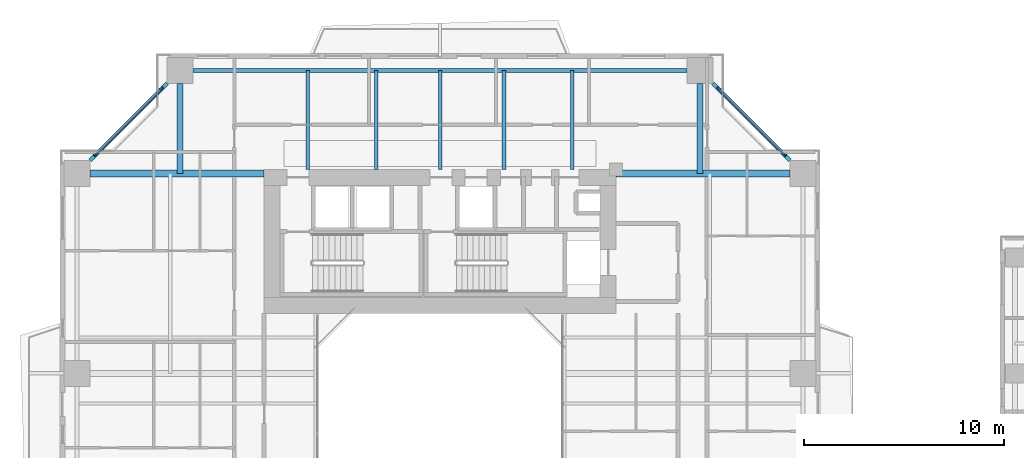
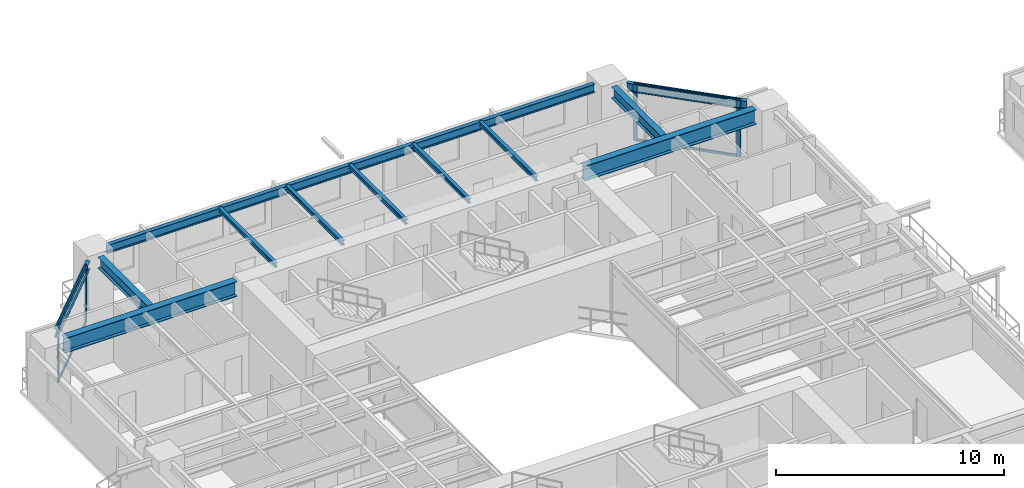
# One storey, part 9 of 23: 12 beams, 8 members, 2 elements without a shape of their own.
"""IFC4 building model written with IfcOpenShell, lengths in metres."""

from ifc_helpers import new_model, si_unit, direction, frame, origin, origin_2d, place, context, subcontext, project, spatial, rectangle, i_section, extrude, source, transform, mapped, material, layer, layer_set, material_profile, profile_set, type_object, element, aggregate, save


model = new_model("IFC4")

# Units and contexts
model_context = context("Model", 3, precision=1e-05, world=origin(), true_north=direction((0.0, 1.0)))
body_context = subcontext(model_context, "Body", "Model", "MODEL_VIEW")
ifc_project = project(units=[si_unit("LENGTHUNIT", "METRE"), si_unit("AREAUNIT", "SQUARE_METRE"), si_unit("VOLUMEUNIT", "CUBIC_METRE"), si_unit("PLANEANGLEUNIT", "RADIAN"), si_unit("MASSUNIT", "GRAM", prefix="KILO"), si_unit("THERMODYNAMICTEMPERATUREUNIT", "KELVIN"), si_unit("POWERUNIT", "WATT")], contexts=[model_context])

# Site, building, storey
site_placement = place(None, origin())
site = spatial("IfcSite", under=ifc_project, at=site_placement, CompositionType="ELEMENT")
building_placement = place(site_placement, origin())
building = spatial("IfcBuilding", under=site, at=building_placement, Name="Qiaomeng Ring Towers", CompositionType="ELEMENT")
storey_placement = place(building_placement, frame((0.0, 0.0, 39.25)))
storey = spatial("IfcBuildingStorey", under=building, at=storey_placement, Name="L10", CompositionType="ELEMENT", Elevation=39.25)

# Beams
ifc_material_1 = material(Name="Steel Q355B", Category="steel")
ifc_material_profile_1 = material_profile(ifc_material_1, i_section(OverallWidth=0.199951171875, OverallDepth=0.449951171875, WebThickness=0.009033203125, FlangeThickness=0.013916015625, FilletRadius=0.01806640625, at=origin_2d()), Name="HN 450x200x9x14")
ifc_profile_set_1 = profile_set([ifc_material_profile_1], Name="Steel Q355B")
beam_type_1 = type_object("IfcBeamType", Name="STR-BM-HN450", PredefinedType="SPANDREL", material=ifc_profile_set_1)
shared_shape_1 = source(origin(), body_context, "Body", "SweptSolid", [
    extrude(i_section(OverallWidth=0.199951171875, OverallDepth=0.449951171875, WebThickness=0.009033203125, FlangeThickness=0.013916015625, FilletRadius=0.01806640625, at=origin_2d()), origin(), (0.0, 0.0, 1.0), 24.7021484375),
])
beam_placement = place(storey_placement, frame((31.35107421875, 41.14990234375, 2.844970703125), z_axis=(-1.0, 0.0, 0.0), x_axis=(0.0, -1.0, 0.0)))
element("IfcBeam", 1, at=beam_placement, inside=storey, type_object=beam_type_1, Name="L10 beam STR-SP-L10-T1-N2-N1", PredefinedType="SPANDREL", context=body_context, shape_type="MappedRepresentation", body=[
    mapped(shared_shape_1, transform((0.0, 0.0, 0.0), x_axis=(1.0, 0.0, 0.0), y_axis=(0.0, 1.0, 0.0), z_axis=(0.0, 0.0, 1.0), scale=1.0)),
])
shared_shape_2 = source(origin(), body_context, "Body", "SweptSolid", [
    extrude(i_section(OverallWidth=0.199951171875, OverallDepth=0.449951171875, WebThickness=0.009033203125, FlangeThickness=0.013916015625, FilletRadius=0.01806640625, at=origin_2d()), origin(), (0.0, 0.0, 1.0), 5.446533203125),
])
for number, where, z_axis, x_axis, name in (
    (2, (36.500732421875, 36.6494140625, 2.844970703125), (-0.707106781187, 0.707106781187, 0.0), (-0.707106781187, -0.707106781187, 0.0), "L10 beam STR-SP-L10-T1-E4-N2"),
    (3, (5.3505859375, 40.500732421875, 2.844970703125), (-0.707106781187, -0.707106781187, 0.0), (0.707106781187, -0.707106781187, 0.0), "L10 beam STR-SP-L10-T1-N1-W4"),
):
    element("IfcBeam", number, at=place(storey_placement, frame(where, z_axis=z_axis, x_axis=x_axis)), inside=storey, type_object=beam_type_1, Name=name, PredefinedType="SPANDREL", context=body_context, shape_type="MappedRepresentation", body=[
        mapped(shared_shape_2, transform((0.0, 0.0, 0.0), x_axis=(1.0, 0.0, 0.0), y_axis=(0.0, 1.0, 0.0), z_axis=(0.0, 0.0, 1.0), scale=1.0)),
    ])
ifc_material_2 = material(Name="Steel Q390GJC", Category="steel")
ifc_material_profile_2 = material_profile(ifc_material_2, i_section(OverallWidth=0.35009765625, OverallDepth=0.800048828125, WebThickness=0.01611328125, FlangeThickness=0.028076171875, at=origin_2d()), Name="WH 800x350x16x28")
ifc_profile_set_2 = profile_set([ifc_material_profile_2], Name="Steel Q390GJC")
beam_type_2 = type_object("IfcBeamType", Name="STR-BM-WH800", PredefinedType="BEAM", material=ifc_profile_set_2)
shared_shape_3 = source(origin(), body_context, "Body", "SweptSolid", [
    extrude(i_section(OverallWidth=0.35009765625, OverallDepth=0.800048828125, WebThickness=0.01611328125, FlangeThickness=0.028076171875, at=origin_2d()), origin(), (0.0, 0.0, 1.0), 8.700927734375),
])
for number, where, z_axis, x_axis, name in (
    (4, (1.4990234375, 36.0, 2.669921875), (1.0, 0.0, 0.0), (0.0, 1.0, 0.0), "L10 beam STR-BM-L10-T1-RAD-W4"),
    (5, (27.800048828125, 36.0, 2.669921875), (1.0, 0.0, 0.0), (0.0, 1.0, 0.0), "L10 beam STR-BM-L10-T1-RAD-E4"),
):
    element("IfcBeam", number, at=place(storey_placement, frame(where, z_axis=z_axis, x_axis=x_axis)), inside=storey, type_object=beam_type_2, Name=name, PredefinedType="BEAM", context=body_context, shape_type="MappedRepresentation", body=[
        mapped(shared_shape_3, transform((0.0, 0.0, 0.0), x_axis=(1.0, 0.0, 0.0), y_axis=(0.0, 1.0, 0.0), z_axis=(0.0, 0.0, 1.0), scale=1.0)),
    ])
ifc_material_profile_3 = material_profile(ifc_material_1, i_section(OverallWidth=0.300048828125, OverallDepth=0.587890625, WebThickness=0.011962890625, FlangeThickness=0.02001953125, FilletRadius=0.028076171875, at=origin_2d()), Name="HM 588x300x12x20")
ifc_profile_set_3 = profile_set([ifc_material_profile_3], Name="Steel Q355B")
beam_type_3 = type_object("IfcBeamType", Name="STR-BM-HM588", PredefinedType="BEAM", material=ifc_profile_set_3)
shared_shape_4 = source(origin(), body_context, "Body", "SweptSolid", [
    extrude(i_section(OverallWidth=0.300048828125, OverallDepth=0.587890625, WebThickness=0.011962890625, FlangeThickness=0.02001953125, FilletRadius=0.028076171875, at=origin_2d()), origin(), (0.0, 0.0, 1.0), 4.5009765625),
])
for number, where, z_axis, x_axis, name in (
    (6, (6.0, 40.5009765625, 2.77587890625), (0.0, -1.0, 0.0), (1.0, 0.0, 0.0), "L10 beam STR-BM-L10-T1-RAD-N1"),
    (7, (32.0, 40.5009765625, 2.77587890625), (0.0, -1.0, 0.0), (1.0, 0.0, 0.0), "L10 beam STR-BM-L10-T1-RAD-N2"),
):
    element("IfcBeam", number, at=place(storey_placement, frame(where, z_axis=z_axis, x_axis=x_axis)), inside=storey, type_object=beam_type_3, Name=name, PredefinedType="BEAM", context=body_context, shape_type="MappedRepresentation", body=[
        mapped(shared_shape_4, transform((0.0, 0.0, 0.0), x_axis=(1.0, 0.0, 0.0), y_axis=(0.0, 1.0, 0.0), z_axis=(0.0, 0.0, 1.0), scale=1.0)),
    ])
ifc_material_profile_4 = material_profile(ifc_material_1, i_section(OverallWidth=0.175048828125, OverallDepth=0.243896484375, WebThickness=0.007080078125, FlangeThickness=0.010986328125, FilletRadius=0.01611328125, at=origin_2d()), Name="HM 244x175x7x11")
ifc_profile_set_4 = profile_set([ifc_material_profile_4], Name="Steel Q355B")
beam_type_4 = type_object("IfcBeamType", Name="STR-BM-HM244", PredefinedType="JOIST", material=ifc_profile_set_4)
shared_shape_5 = source(origin(), body_context, "Body", "SweptSolid", [
    extrude(i_section(OverallWidth=0.175048828125, OverallDepth=0.243896484375, WebThickness=0.007080078125, FlangeThickness=0.010986328125, FilletRadius=0.01611328125, at=origin_2d()), origin(), (0.0, 0.0, 1.0), 4.949951171875),
])
for number, where, z_axis, x_axis, name in (
    (8, (12.39990234375, 36.199951171875, 2.947998046875), (0.0, 1.0, 0.0), (-1.0, 0.0, 0.0), "L10 beam STR-JST-L10-T1N-1"),
    (9, (15.800048828125, 36.199951171875, 2.947998046875), (0.0, 1.0, 0.0), (-1.0, 0.0, 0.0), "L10 beam STR-JST-L10-T1N-2"),
    (10, (19.0, 36.199951171875, 2.947998046875), (0.0, 1.0, 0.0), (-1.0, 0.0, 0.0), "L10 beam STR-JST-L10-T1N-3"),
    (11, (22.199951171875, 36.199951171875, 2.947998046875), (0.0, 1.0, 0.0), (-1.0, 0.0, 0.0), "L10 beam STR-JST-L10-T1N-4"),
    (12, (25.60009765625, 36.199951171875, 2.947998046875), (0.0, 1.0, 0.0), (-1.0, 0.0, 0.0), "L10 beam STR-JST-L10-T1N-5"),
):
    element("IfcBeam", number, at=place(storey_placement, frame(where, z_axis=z_axis, x_axis=x_axis)), inside=storey, type_object=beam_type_4, Name=name, PredefinedType="JOIST", context=body_context, shape_type="MappedRepresentation", body=[
        mapped(shared_shape_5, transform((0.0, 0.0, 0.0), x_axis=(1.0, 0.0, 0.0), y_axis=(0.0, 1.0, 0.0), z_axis=(0.0, 0.0, 1.0), scale=1.0)),
    ])

# Curtain wall, members
ifc_material_3 = material(Name="Fluorocarbon dark-grey aluminium", Category="aluminium")
ifc_layer = layer(ifc_material_3, 0.159912109375, Name="Fluorocarbon dark-grey aluminium")
ifc_layer_set = layer_set([ifc_layer], Name="Fluorocarbon dark-grey aluminium")
curtain_wall_type = type_object("IfcCurtainWallType", Name="ARC-CW-2", PredefinedType="NOTDEFINED", material=ifc_layer_set)
curtain_wall_1_placement = place(storey_placement, origin())
curtain_wall_1 = element("IfcCurtainWall", 13, at=curtain_wall_1_placement, inside=storey, type_object=curtain_wall_type, Name="L10 Curtain Wall CW2", PredefinedType="NOTDEFINED")
ifc_material_profile_5 = material_profile(ifc_material_3, rectangle(XDim=0.070068359375, YDim=0.179931640625, at=origin_2d()), Name="ALU MULL 70x180")
ifc_profile_set_5 = profile_set([ifc_material_profile_5], Name="Fluorocarbon dark-grey aluminium")
member_type_1 = type_object("IfcMemberType", Name="ARC-CWM-160", PredefinedType="MULLION", material=ifc_profile_set_5)
shared_shape_6 = source(origin(), body_context, "Body", "SweptSolid", [
    extrude(rectangle(XDim=0.070068359375, YDim=0.179931640625, at=origin_2d()), origin(), (0.0, 0.0, 1.0), 3.070068359375),
])
member_1_placement = place(storey_placement, frame((36.2353515625, 36.914794921875, 0.0), z_axis=(0.0, 0.0, 1.0), x_axis=(-0.707106781187, -0.707106781187, 0.0)))
member_1 = element("IfcMember", 14, at=member_1_placement, type_object=member_type_1, Name="CW2 mullion 1", PredefinedType="MULLION", context=body_context, shape_type="MappedRepresentation", body=[
    mapped(shared_shape_6, transform((0.0, 0.0, 0.0), x_axis=(1.0, 0.0, 0.0), y_axis=(0.0, 1.0, 0.0), z_axis=(0.0, 0.0, 1.0), scale=1.0)),
])
member_2_placement = place(storey_placement, frame((32.914794921875, 40.2353515625, 0.0), z_axis=(0.0, 0.0, 1.0), x_axis=(-0.707106781187, -0.707106781187, 0.0)))
member_2 = element("IfcMember", 15, at=member_2_placement, type_object=member_type_1, Name="CW2 mullion 2", PredefinedType="MULLION", context=body_context, shape_type="MappedRepresentation", body=[
    mapped(shared_shape_6, transform((0.0, 0.0, 0.0), x_axis=(1.0, 0.0, 0.0), y_axis=(0.0, 1.0, 0.0), z_axis=(0.0, 0.0, 1.0), scale=1.0)),
])

curtain_wall_2_placement = place(storey_placement, origin())
curtain_wall_2 = element("IfcCurtainWall", 16, at=curtain_wall_2_placement, inside=storey, type_object=curtain_wall_type, Name="L10 Curtain Wall CW2", PredefinedType="NOTDEFINED")
member_3_placement = place(storey_placement, frame((5.085205078125, 40.2353515625, 0.0), z_axis=(0.0, 0.0, 1.0), x_axis=(0.707106781187, -0.707106781187, 0.0)))
member_3 = element("IfcMember", 17, at=member_3_placement, type_object=member_type_1, Name="CW2 mullion 1", PredefinedType="MULLION", context=body_context, shape_type="MappedRepresentation", body=[
    mapped(shared_shape_6, transform((0.0, 0.0, 0.0), x_axis=(1.0, 0.0, 0.0), y_axis=(0.0, 1.0, 0.0), z_axis=(0.0, 0.0, 1.0), scale=1.0)),
])
member_4_placement = place(storey_placement, frame((1.7646484375, 36.914794921875, 0.0), z_axis=(0.0, 0.0, 1.0), x_axis=(0.707106781187, -0.707106781187, 0.0)))
member_4 = element("IfcMember", 18, at=member_4_placement, type_object=member_type_1, Name="CW2 mullion 2", PredefinedType="MULLION", context=body_context, shape_type="MappedRepresentation", body=[
    mapped(shared_shape_6, transform((0.0, 0.0, 0.0), x_axis=(1.0, 0.0, 0.0), y_axis=(0.0, 1.0, 0.0), z_axis=(0.0, 0.0, 1.0), scale=1.0)),
])

# Member
ifc_material_profile_6 = material_profile(ifc_material_3, rectangle(XDim=0.06494140625, YDim=0.1298828125, at=origin_2d()), Name="ALU TRAN 65x130")
ifc_profile_set_6 = profile_set([ifc_material_profile_6], Name="Fluorocarbon dark-grey aluminium")
member_type_2 = type_object("IfcMemberType", Name="ARC-CWT-120", PredefinedType="USERDEFINED", material=ifc_profile_set_6)
shared_shape_7 = source(origin(), body_context, "Body", "SweptSolid", [
    extrude(rectangle(XDim=0.06494140625, YDim=0.1298828125, at=origin_2d()), origin(), (0.0, 0.0, 1.0), 4.6259765625),
])
member_5_placement = place(storey_placement, frame((36.21044921875, 36.939453125, 0.032470703125), z_axis=(-0.707106781187, 0.707106781187, 0.0), x_axis=(-0.707106781187, -0.707106781187, 0.0)))
member_5 = element("IfcMember", 19, at=member_5_placement, type_object=member_type_2, Name="CW2 transom 1.1", ObjectType="TRANSOM", PredefinedType="USERDEFINED", context=body_context, shape_type="MappedRepresentation", body=[
    mapped(shared_shape_7, transform((0.0, 0.0, 0.0), x_axis=(1.0, 0.0, 0.0), y_axis=(0.0, 1.0, 0.0), z_axis=(0.0, 0.0, 1.0), scale=1.0)),
])

member_6_placement = place(storey_placement, frame((36.21044921875, 36.939453125, 3.03759765625), z_axis=(-0.707106781187, 0.707106781187, 0.0), x_axis=(-0.707106781187, -0.707106781187, 0.0)))
member_6 = element("IfcMember", 20, at=member_6_placement, type_object=member_type_2, Name="CW2 transom 1.2", ObjectType="TRANSOM", PredefinedType="USERDEFINED", context=body_context, shape_type="MappedRepresentation", body=[
    mapped(shared_shape_7, transform((0.0, 0.0, 0.0), x_axis=(1.0, 0.0, 0.0), y_axis=(0.0, 1.0, 0.0), z_axis=(0.0, 0.0, 1.0), scale=1.0)),
])

aggregate(curtain_wall_1, [member_1, member_2, member_5, member_6])

member_7_placement = place(storey_placement, frame((5.060546875, 40.21044921875, 0.032470703125), z_axis=(-0.707106781187, -0.707106781187, 0.0), x_axis=(0.707106781187, -0.707106781187, 0.0)))
member_7 = element("IfcMember", 21, at=member_7_placement, type_object=member_type_2, Name="CW2 transom 1.1", ObjectType="TRANSOM", PredefinedType="USERDEFINED", context=body_context, shape_type="MappedRepresentation", body=[
    mapped(shared_shape_7, transform((0.0, 0.0, 0.0), x_axis=(1.0, 0.0, 0.0), y_axis=(0.0, 1.0, 0.0), z_axis=(0.0, 0.0, 1.0), scale=1.0)),
])

member_8_placement = place(storey_placement, frame((5.060546875, 40.21044921875, 3.03759765625), z_axis=(-0.707106781187, -0.707106781187, 0.0), x_axis=(0.707106781187, -0.707106781187, 0.0)))
member_8 = element("IfcMember", 22, at=member_8_placement, type_object=member_type_2, Name="CW2 transom 1.2", ObjectType="TRANSOM", PredefinedType="USERDEFINED", context=body_context, shape_type="MappedRepresentation", body=[
    mapped(shared_shape_7, transform((0.0, 0.0, 0.0), x_axis=(1.0, 0.0, 0.0), y_axis=(0.0, 1.0, 0.0), z_axis=(0.0, 0.0, 1.0), scale=1.0)),
])

aggregate(curtain_wall_2, [member_3, member_4, member_7, member_8])

save(model, "model.ifc")
